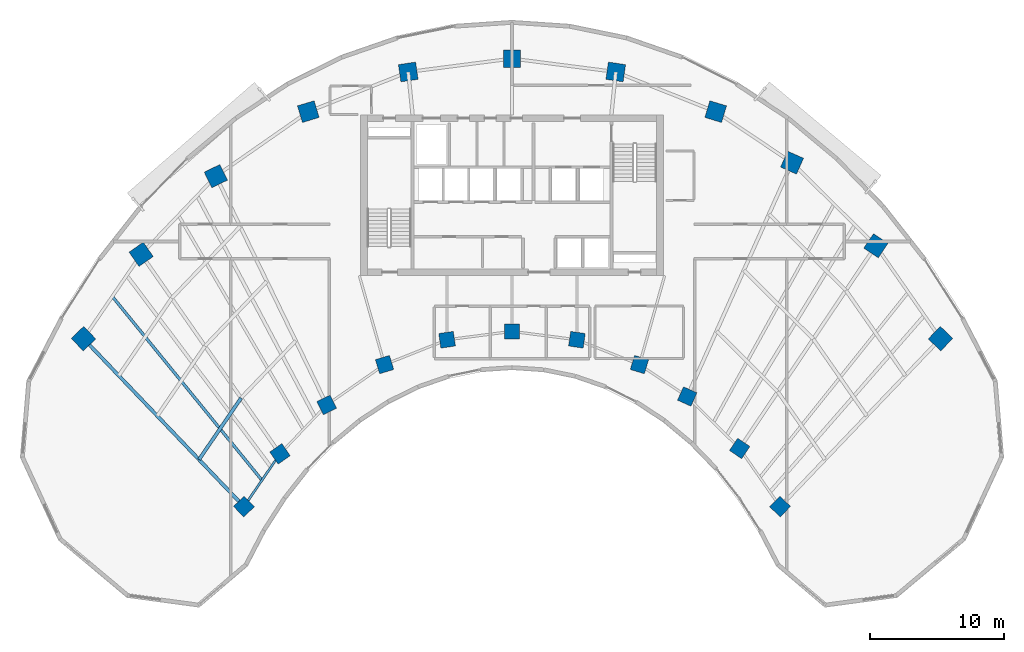
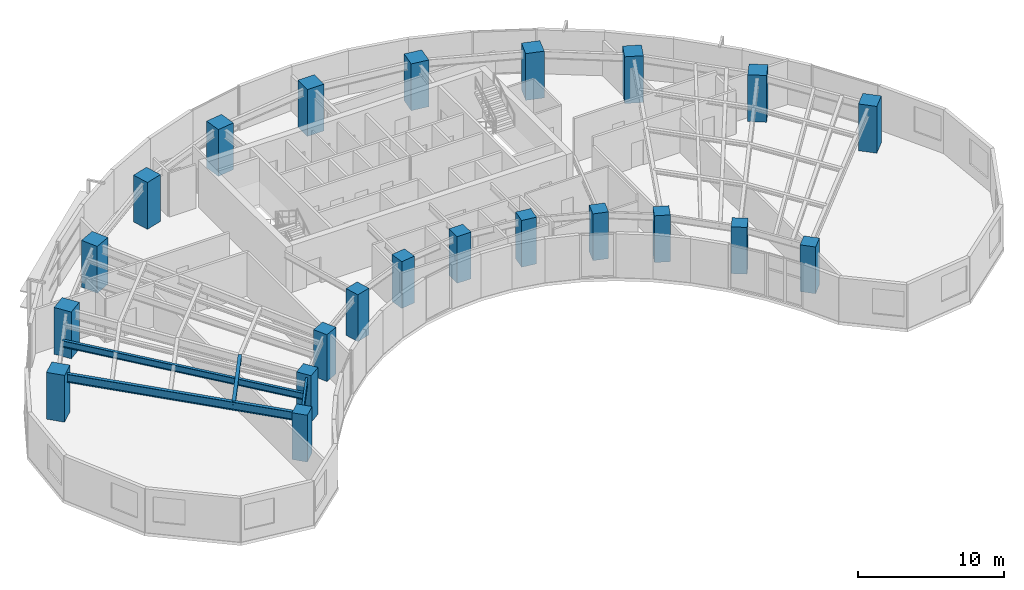
# One storey, part 1 of 14: 22 columns, 4 beams.
"""IFC4 building model written with IfcOpenShell, lengths in metres."""

from ifc_helpers import new_model, si_unit, direction, frame, origin, origin_2d, place, context, subcontext, project, spatial, rectangle, i_section, extrude, source, transform, mapped, material, material_profile, profile_set, type_object, type_shapes, element, save


model = new_model("IFC4")

# Units and contexts
model_context = context("Model", 3, precision=1e-05, world=origin(), true_north=direction((0.0, 1.0)))
body_context = subcontext(model_context, "Body", "Model", "MODEL_VIEW")
ifc_project = project(units=[si_unit("LENGTHUNIT", "METRE"), si_unit("AREAUNIT", "SQUARE_METRE"), si_unit("VOLUMEUNIT", "CUBIC_METRE"), si_unit("PLANEANGLEUNIT", "RADIAN"), si_unit("MASSUNIT", "GRAM", prefix="KILO")], contexts=[model_context])

# Site, building, storey
site_placement = place(None, origin())
site = spatial("IfcSite", under=ifc_project, at=site_placement, CompositionType="ELEMENT")
building_placement = place(site_placement, origin())
building = spatial("IfcBuilding", under=site, at=building_placement, Name="Breltana Convention Tower", CompositionType="ELEMENT")
storey_placement = place(building_placement, frame((0.0, 0.0, 115.5)))
storey = spatial("IfcBuildingStorey", under=building, at=storey_placement, Name="L27", CompositionType="ELEMENT", Elevation=115.5)

# Columns
ifc_material_1 = material(Name="Concrete C60/75", Category="concrete")
ifc_material_profile_1 = material_profile(ifc_material_1, rectangle(XDim=1.10009765625, YDim=1.10009765625, at=origin_2d()), Name="RC-COL-1100X1100")
ifc_profile_set_1 = profile_set([ifc_material_profile_1], Name="Concrete C60/75")
column_type_1 = type_object("IfcColumnType", Name="COL-RC-1100", PredefinedType="COLUMN", material=ifc_profile_set_1)
shared_shape_1 = source(origin(), body_context, "Body", "SweptSolid", [
    extrude(rectangle(XDim=1.10009765625, YDim=1.10009765625, at=origin_2d()), origin(), (0.0, 0.0, 1.0), 3.89990234375),
])
for number, where, z_axis, x_axis, name in (
    (1, (27.984619140625, 42.95458984375, 0.0), (0.0, 0.0, 1.0), (-0.690756218984, 0.723087716626, 0.0), "L27 Tower Column R01-IN"),
    (2, (30.67724609375, 46.892333984375, 0.0), (0.0, 0.0, 1.0), (-0.571143442153, 0.820850271661, 0.0), "L27 Tower Column R02-IN"),
    (3, (34.166259765625, 50.544921875, 0.0), (0.0, 0.0, 1.0), (-0.436173672171, 0.899862504889, 0.0), "L27 Tower Column R03-IN"),
    (4, (38.485107421875, 53.5576171875, 0.0), (0.0, 0.0, 1.0), (-0.288697611798, 0.957420330337, 0.0), "L27 Tower Column R04-IN"),
    (5, (43.153564453125, 55.41064453125, 0.0), (0.0, 0.0, 1.0), (-0.143492621991, 0.98965138682, 0.0), "L27 Tower Column R05-IN"),
    (6, (48.0, 56.035888671875, 0.0), (0.0, 0.0, 1.0), (0.0, 1.0, 0.0), "L27 Tower Column R06-IN"),
    (7, (52.846435546875, 55.41064453125, 0.0), (0.0, 0.0, 1.0), (0.143492621991, 0.98965138682, 0.0), "L27 Tower Column R07-IN"),
    (8, (57.514892578125, 53.5576171875, 0.0), (0.0, 0.0, 1.0), (0.288697611798, 0.957420330337, 0.0), "L27 Tower Column R08-IN"),
    (9, (61.08203125, 51.174560546875, 0.0), (0.0, 0.0, 1.0), (0.409126902895, 0.912477494148, 0.0), "L27 Tower Column R09-IN"),
    (10, (64.995849609375, 47.293701171875, 0.0), (0.0, 0.0, 1.0), (0.55774510898, 0.830012285095, 0.0), "L27 Tower Column R10-IN"),
    (11, (68.015380859375, 42.95458984375, 0.0), (0.0, 0.0, 1.0), (0.690756218984, 0.723087716626, 0.0), "L27 Tower Column R11-IN"),
):
    element("IfcColumn", number, at=place(storey_placement, frame(where, z_axis=z_axis, x_axis=x_axis)), inside=storey, type_object=column_type_1, Name=name, PredefinedType="COLUMN", context=body_context, shape_type="MappedRepresentation", body=[
        mapped(shared_shape_1, transform((0.0, 0.0, 0.0), scale=1.0)),
    ])
ifc_material_profile_2 = material_profile(ifc_material_1, rectangle(XDim=1.300048828125, YDim=1.300048828125, at=origin_2d()), Name="RC-COL-1300X1300")
ifc_profile_set_2 = profile_set([ifc_material_profile_2], Name="Concrete C60/75")
column_type_2 = type_object("IfcColumnType", Name="COL-RC-1300", PredefinedType="COLUMN", material=ifc_profile_set_2)
shared_shape_2 = source(origin(), body_context, "Body", "SweptSolid", [
    extrude(rectangle(XDim=1.300048828125, YDim=1.300048828125, at=origin_2d()), origin(), (0.0, 0.0, 1.0), 3.89990234375),
])
for number, where, z_axis, x_axis, name in (
    (12, (16.0068359375, 55.494384765625, 0.0), (0.0, 0.0, 1.0), (-0.690756218984, 0.723087716626, 0.0), "L27 Tower Column R01-OUT"),
    (13, (20.310791015625, 61.78857421875, 0.0), (0.0, 0.0, 1.0), (-0.571143442153, 0.820850271661, 0.0), "L27 Tower Column R02-OUT"),
    (14, (25.8876953125, 67.626953125, 0.0), (0.0, 0.0, 1.0), (-0.436173672171, 0.899862504889, 0.0), "L27 Tower Column R03-OUT"),
    (15, (32.791015625, 72.4423828125, 0.0), (0.0, 0.0, 1.0), (-0.288697611798, 0.957420330337, 0.0), "L27 Tower Column R04-OUT"),
    (16, (40.253173828125, 75.404296875, 0.0), (0.0, 0.0, 1.0), (-0.143492621991, 0.98965138682, 0.0), "L27 Tower Column R05-OUT"),
    (17, (48.0, 76.404052734375, 0.0), (0.0, 0.0, 1.0), (0.0, 1.0, 0.0), "L27 Tower Column R06-OUT"),
    (18, (55.746826171875, 75.404296875, 0.0), (0.0, 0.0, 1.0), (0.143492621991, 0.98965138682, 0.0), "L27 Tower Column R07-OUT"),
    (19, (63.208984375, 72.4423828125, 0.0), (0.0, 0.0, 1.0), (0.288697611798, 0.957420330337, 0.0), "L27 Tower Column R08-OUT"),
    (20, (68.910400390625, 68.63330078125, 0.0), (0.0, 0.0, 1.0), (0.409126902895, 0.912477494148, 0.0), "L27 Tower Column R09-OUT"),
    (21, (75.166748046875, 62.43017578125, 0.0), (0.0, 0.0, 1.0), (0.55774510898, 0.830012285095, 0.0), "L27 Tower Column R10-OUT"),
    (22, (79.9931640625, 55.494384765625, 0.0), (0.0, 0.0, 1.0), (0.690756218984, 0.723087716626, 0.0), "L27 Tower Column R11-OUT"),
):
    element("IfcColumn", number, at=place(storey_placement, frame(where, z_axis=z_axis, x_axis=x_axis)), inside=storey, type_object=column_type_2, Name=name, PredefinedType="COLUMN", context=body_context, shape_type="MappedRepresentation", body=[
        mapped(shared_shape_2, transform((0.0, 0.0, 0.0), scale=1.0)),
    ])

# Beams
ifc_material_2 = material(Name="Steel ASTM A992 Grade 50", Category="steel")
ifc_material_profile_3 = material_profile(ifc_material_2, i_section(OverallWidth=0.25390625, OverallDepth=0.68798828125, WebThickness=0.01318359375, FlangeThickness=0.02099609375, at=origin_2d()), Name="W27X102")
ifc_profile_set_3 = profile_set([ifc_material_profile_3], Name="Steel ASTM A992 Grade 50")
beam_type_1 = type_object("IfcBeamType", Name="BM-RG-W27X102", PredefinedType="USERDEFINED", material=ifc_profile_set_3)
shared_shape_3 = source(origin(), body_context, "Body", "SweptSolid", [
    extrude(i_section(OverallWidth=0.25390625, OverallDepth=0.68798828125, WebThickness=0.01318359375, FlangeThickness=0.02099609375, at=origin_2d()), origin(), (0.0, 0.0, 1.0), 17.341064453125),
])
type_shapes(beam_type_1, [shared_shape_3])
beam_1_placement = place(storey_placement, frame((27.984619140625, 42.95458984375, 3.305908203125), z_axis=(-0.690716462293, 0.723125693581, 0.0), x_axis=(-0.723125693581, -0.690716462293, 0.0)))
element("IfcBeam", 23, at=beam_1_placement, inside=storey, type_object=beam_type_1, Name="L27 Radial Floor Girder R01", ObjectType="GIRDER", PredefinedType="USERDEFINED", context=body_context, shape_type="MappedRepresentation", body=[
    mapped(shared_shape_3, transform((0.0, 0.0, 0.0), scale=1.0)),
])
ifc_material_profile_4 = material_profile(ifc_material_2, i_section(OverallWidth=0.166015625, OverallDepth=0.534912109375, WebThickness=0.01025390625, FlangeThickness=0.0166015625, at=origin_2d()), Name="W21X57")
ifc_profile_set_4 = profile_set([ifc_material_profile_4], Name="Steel ASTM A992 Grade 50")
beam_type_2 = type_object("IfcBeamType", Name="BM-BM-W21X57", PredefinedType="BEAM", material=ifc_profile_set_4)
shared_shape_4 = source(origin(), body_context, "Body", "SweptSolid", [
    extrude(i_section(OverallWidth=0.166015625, OverallDepth=0.534912109375, WebThickness=0.01025390625, FlangeThickness=0.0166015625, at=origin_2d()), origin(), (0.0, 0.0, 1.0), 4.770263671875),
])
beam_2_placement = place(storey_placement, frame((27.984619140625, 42.95458984375, 3.382568359375), z_axis=(0.564452719055, 0.82546540082, 0.0), x_axis=(-0.82546540082, 0.564452719055, 0.0)))
element("IfcBeam", 24, at=beam_2_placement, inside=storey, type_object=beam_type_2, Name="L27 Inner Ring Beam 01", PredefinedType="BEAM", context=body_context, shape_type="MappedRepresentation", body=[
    mapped(shared_shape_4, transform((0.0, 0.0, 0.0), scale=1.0)),
])
ifc_material_profile_5 = material_profile(ifc_material_2, i_section(OverallWidth=0.25390625, OverallDepth=0.305908203125, WebThickness=0.0087890625, FlangeThickness=0.0146484375, at=origin_2d()), Name="W12X53")
ifc_profile_set_5 = profile_set([ifc_material_profile_5], Name="Steel ASTM A992 Grade 50")
beam_type_3 = type_object("IfcBeamType", Name="BM-JSG-10", PredefinedType="JOIST", material=ifc_profile_set_5)
shared_shape_5 = source(origin(), body_context, "Body", "SweptSolid", [
    extrude(i_section(OverallWidth=0.25390625, OverallDepth=0.305908203125, WebThickness=0.0087890625, FlangeThickness=0.0146484375, at=origin_2d()), origin(), (0.0, 0.0, 1.0), 5.569580078125),
])
beam_3_placement = place(storey_placement, frame((24.630615234375, 46.4658203125, 3.4970703125), z_axis=(0.564493760458, 0.825437335237, 0.0), x_axis=(-0.825437335237, 0.564493760458, 0.0)))
element("IfcBeam", 25, at=beam_3_placement, inside=storey, type_object=beam_type_3, Name="L27 Composite Floor Joist 01.1", PredefinedType="JOIST", context=body_context, shape_type="MappedRepresentation", body=[
    mapped(shared_shape_5, transform((0.0, 0.0, 0.0), scale=1.0)),
])
ifc_material_profile_6 = material_profile(ifc_material_2, i_section(OverallWidth=0.214111328125, OverallDepth=0.549072265625, WebThickness=0.0146484375, FlangeThickness=0.023681640625, at=origin_2d()), Name="W21X93")
ifc_profile_set_6 = profile_set([ifc_material_profile_6], Name="Steel ASTM A992 Grade 50")
beam_type_4 = type_object("IfcBeamType", Name="BM-JSG-03", PredefinedType="JOIST", material=ifc_profile_set_6)
shared_shape_6 = source(origin(), body_context, "Body", "SweptSolid", [
    extrude(i_section(OverallWidth=0.214111328125, OverallDepth=0.549072265625, WebThickness=0.0146484375, FlangeThickness=0.023681640625, at=origin_2d()), origin(), (0.0, 0.0, 1.0), 17.691650390625),
])
beam_4_placement = place(storey_placement, frame((29.330810546875, 44.923583984375, 3.37548828125), z_axis=(-0.631476958478, 0.775394642044, 0.0), x_axis=(-0.775394642044, -0.631476958478, 0.0)))
element("IfcBeam", 26, at=beam_4_placement, inside=storey, type_object=beam_type_4, Name="L27 Mid-Bay Radial Trimmer 01", PredefinedType="JOIST", context=body_context, shape_type="MappedRepresentation", body=[
    mapped(shared_shape_6, transform((0.0, 0.0, 0.0), scale=1.0)),
])

save(model, "model.ifc")
